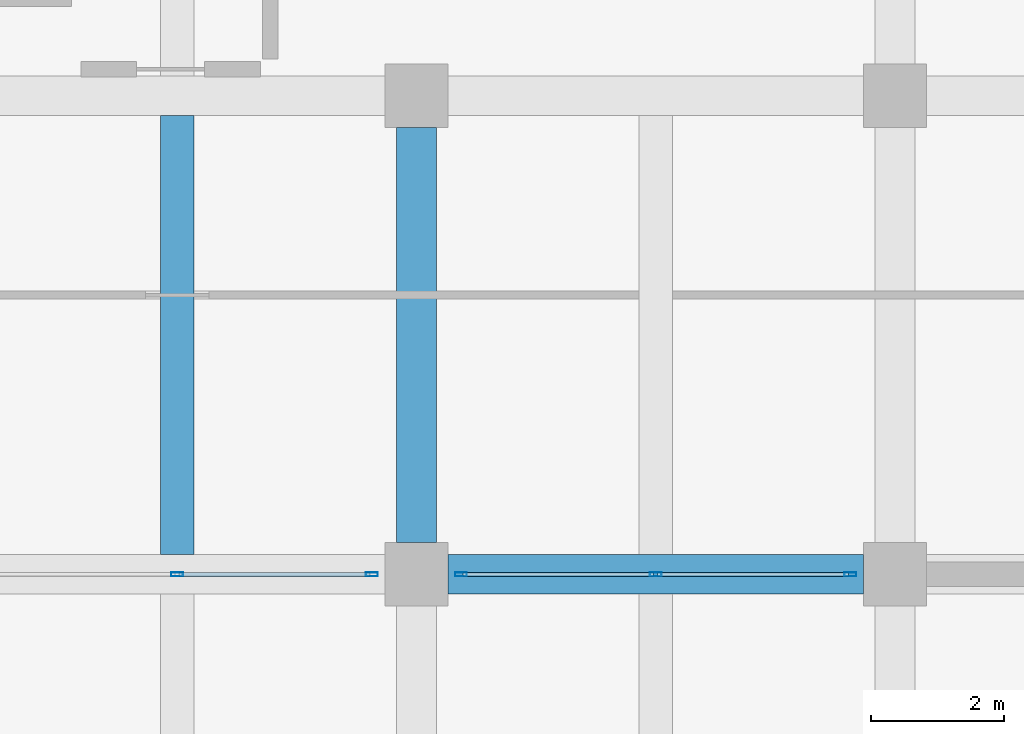
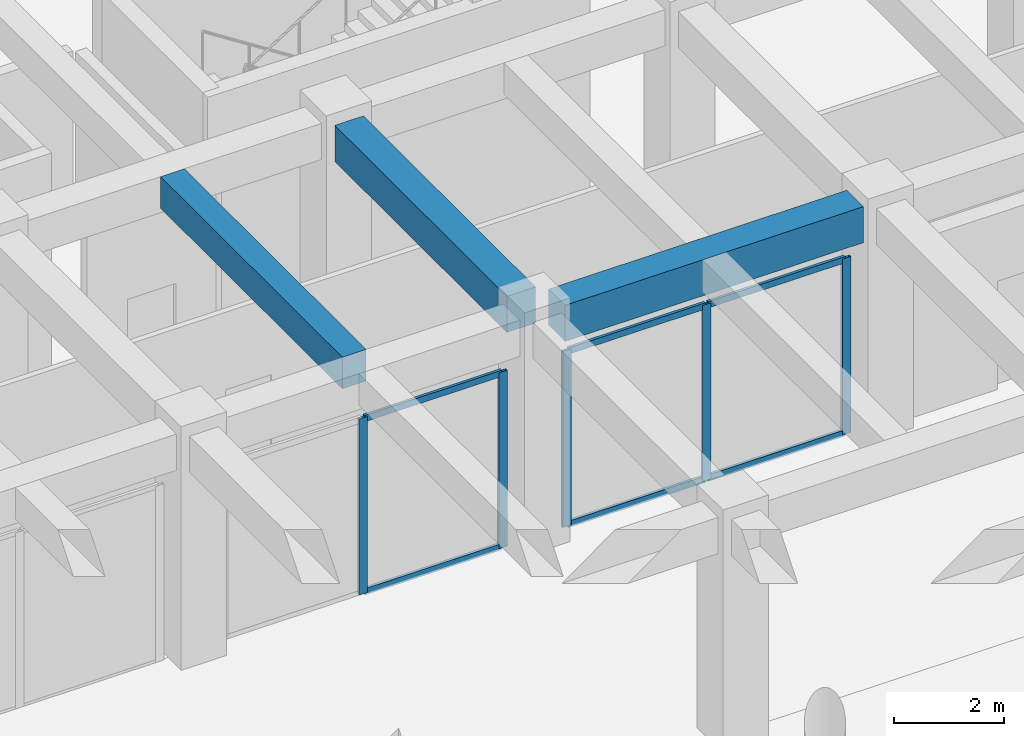
# One storey, part 14 of 56: 11 members, 3 beams, 2 elements without a shape of their own.
"""IFC4 building model written with IfcOpenShell, lengths in metres."""

from ifc_helpers import new_model, si_unit, direction, frame, origin, origin_2d, place, context, subcontext, project, spatial, rectangle, hollow_rectangle, extrude, material, material_profile, profile_set, type_object, element, aggregate, save


model = new_model("IFC4")

# Units and contexts
model_context = context("Model", 3, precision=1e-05, world=origin(), true_north=direction((0.0, 1.0)))
body_context = subcontext(model_context, "Body", "Model", "MODEL_VIEW")
ifc_project = project(units=[si_unit("LENGTHUNIT", "METRE"), si_unit("AREAUNIT", "SQUARE_METRE"), si_unit("VOLUMEUNIT", "CUBIC_METRE"), si_unit("PLANEANGLEUNIT", "RADIAN"), si_unit("MASSUNIT", "GRAM", prefix="KILO")], contexts=[model_context])

# Site, building, storey
site_placement = place(None, origin())
site = spatial("IfcSite", under=ifc_project, at=site_placement, CompositionType="ELEMENT")
building_placement = place(site_placement, origin())
building = spatial("IfcBuilding", under=site, at=building_placement, Name="Kazehaya Institute of Natural Sciences", CompositionType="ELEMENT")
storey_placement = place(building_placement, origin())
storey = spatial("IfcBuildingStorey", under=building, at=storey_placement, Name="L00", CompositionType="ELEMENT", Elevation=0.0)

# Beams
ifc_material_1 = material(Name="Concrete Fc36", Category="concrete")
ifc_material_profile_1 = material_profile(ifc_material_1, rectangle(XDim=0.60009765625, YDim=0.800048828125, at=origin_2d()), Name="RC-600x800")
ifc_profile_set_1 = profile_set([ifc_material_profile_1], Name="Concrete Fc36")
beam_type_1 = type_object("IfcBeamType", Name="BM-G-600x800", PredefinedType="BEAM", material=ifc_profile_set_1)
for number, where, z_axis, x_axis, name in (
    (1, (105.47509765625, 14.0, 4.72998046875), (1.0, 0.0, 0.0), (0.0, 1.0, 0.0), "L00 primary X girder BMX-L00-1050-140"),
    (2, (105.0, 14.47509765625, 4.72998046875), (0.0, 1.0, 0.0), (-1.0, 0.0, 0.0), "L00 primary Y girder BMY-L00-1050-140"),
):
    element("IfcBeam", number, at=place(storey_placement, frame(where, z_axis=z_axis, x_axis=x_axis)), inside=storey, type_object=beam_type_1, Name=name, PredefinedType="BEAM", context=body_context, shape_type="SweptSolid", body=[
        extrude(rectangle(XDim=0.60009765625, YDim=0.800048828125, at=origin_2d()), origin(), (0.0, 0.0, 1.0), 6.25),
    ])
ifc_material_profile_2 = material_profile(ifc_material_1, rectangle(XDim=0.5, YDim=0.699951171875, at=origin_2d()), Name="RC-500x700")
ifc_profile_set_2 = profile_set([ifc_material_profile_2], Name="Concrete Fc36")
beam_type_2 = type_object("IfcBeamType", Name="BM-J-500x700", PredefinedType="JOIST", material=ifc_profile_set_2)
beam_placement = place(storey_placement, frame((101.39990234375, 14.300048828125, 4.780029296875), z_axis=(0.0, 1.0, 0.0), x_axis=(-1.0, 0.0, 0.0)))
element("IfcBeam", 3, at=beam_placement, inside=storey, type_object=beam_type_2, Name="L00 secondary lab beam JST-L00-0017", PredefinedType="JOIST", context=body_context, shape_type="SweptSolid", body=[
    extrude(rectangle(XDim=0.5, YDim=0.699951171875, at=origin_2d()), origin(), (0.0, 0.0, 1.0), 6.599853515625),
])

# Curtain wall, members
ifc_material_2 = material(Name="Aluminium alloy A6063S-T5", Category="aluminium")
curtain_wall_type = type_object("IfcCurtainWallType", Name="CW-SYS-01", PredefinedType="NOTDEFINED", material=ifc_material_2)
curtain_wall_1_placement = place(storey_placement, origin())
curtain_wall_1 = element("IfcCurtainWall", 4, at=curtain_wall_1_placement, inside=storey, type_object=curtain_wall_type, Name="L00 unitised curtain wall CW-L00-001", PredefinedType="NOTDEFINED")
ifc_material_profile_3 = material_profile(ifc_material_2, hollow_rectangle(XDim=0.06005859375, YDim=0.179931640625, WallThickness=0.00390625, at=origin_2d()), Name="ALU-60x180x4")
ifc_profile_set_3 = profile_set([ifc_material_profile_3], Name="Aluminium alloy A6063S-T5")
member_type_1 = type_object("IfcMemberType", Name="CWM-180", PredefinedType="MULLION", material=ifc_profile_set_3)
member_1_placement = place(storey_placement, frame((111.530029296875, 14.0, 0.0), z_axis=(0.0, 0.0, 1.0), x_axis=(0.0, -1.0, 0.0)))
member_1 = element("IfcMember", 5, at=member_1_placement, type_object=member_type_1, Name="CW01 mullion 1", PredefinedType="MULLION", context=body_context, shape_type="SweptSolid", body=[
    extrude(hollow_rectangle(XDim=0.06005859375, YDim=0.179931640625, WallThickness=0.00390625, at=origin_2d()), origin(), (0.0, 0.0, 1.0), 3.89990234375),
])
member_2_placement = place(storey_placement, frame((108.60009765625, 14.0, 0.0), z_axis=(0.0, 0.0, 1.0), x_axis=(0.0, -1.0, 0.0)))
member_2 = element("IfcMember", 6, at=member_2_placement, type_object=member_type_1, Name="CW01 mullion 2", PredefinedType="MULLION", context=body_context, shape_type="SweptSolid", body=[
    extrude(hollow_rectangle(XDim=0.06005859375, YDim=0.179931640625, WallThickness=0.00390625, at=origin_2d()), origin(), (0.0, 0.0, 1.0), 3.89990234375),
])
member_3_placement = place(storey_placement, frame((105.669921875, 14.0, 0.0), z_axis=(0.0, 0.0, 1.0), x_axis=(0.0, -1.0, 0.0)))
member_3 = element("IfcMember", 7, at=member_3_placement, type_object=member_type_1, Name="CW01 mullion 3", PredefinedType="MULLION", context=body_context, shape_type="SweptSolid", body=[
    extrude(hollow_rectangle(XDim=0.06005859375, YDim=0.179931640625, WallThickness=0.00390625, at=origin_2d()), origin(), (0.0, 0.0, 1.0), 3.89990234375),
])

curtain_wall_2_placement = place(storey_placement, origin())
curtain_wall_2 = element("IfcCurtainWall", 8, at=curtain_wall_2_placement, inside=storey, type_object=curtain_wall_type, Name="L00 unitised curtain wall CW-L00-002", PredefinedType="NOTDEFINED")
member_4_placement = place(storey_placement, frame((104.330078125, 14.0, 0.0), z_axis=(0.0, 0.0, 1.0), x_axis=(0.0, -1.0, 0.0)))
member_4 = element("IfcMember", 9, at=member_4_placement, type_object=member_type_1, Name="CW01 mullion 1", PredefinedType="MULLION", context=body_context, shape_type="SweptSolid", body=[
    extrude(hollow_rectangle(XDim=0.06005859375, YDim=0.179931640625, WallThickness=0.00390625, at=origin_2d()), origin(), (0.0, 0.0, 1.0), 3.89990234375),
])
member_5_placement = place(storey_placement, frame((101.39990234375, 14.0, 0.0), z_axis=(0.0, 0.0, 1.0), x_axis=(0.0, -1.0, 0.0)))
member_5 = element("IfcMember", 10, at=member_5_placement, type_object=member_type_1, Name="CW01 mullion 2", PredefinedType="MULLION", context=body_context, shape_type="SweptSolid", body=[
    extrude(hollow_rectangle(XDim=0.06005859375, YDim=0.179931640625, WallThickness=0.00390625, at=origin_2d()), origin(), (0.0, 0.0, 1.0), 3.89990234375),
])

# Member
ifc_material_profile_4 = material_profile(ifc_material_2, hollow_rectangle(XDim=0.06005859375, YDim=0.139892578125, WallThickness=0.00341796875, at=origin_2d()), Name="ALU-60x140x3.5")
ifc_profile_set_4 = profile_set([ifc_material_profile_4], Name="Aluminium alloy A6063S-T5")
member_type_2 = type_object("IfcMemberType", Name="CWT-140", PredefinedType="USERDEFINED", material=ifc_profile_set_4)
member_6_placement = place(storey_placement, frame((111.5, 14.0, 0.030029296875), z_axis=(-1.0, 0.0, 0.0), x_axis=(0.0, -1.0, 0.0)))
member_6 = element("IfcMember", 11, at=member_6_placement, type_object=member_type_2, Name="CW01 transom 1.1", ObjectType="TRANSOM", PredefinedType="USERDEFINED", context=body_context, shape_type="SweptSolid", body=[
    extrude(hollow_rectangle(XDim=0.06005859375, YDim=0.139892578125, WallThickness=0.00341796875, at=origin_2d()), origin(), (0.0, 0.0, 1.0), 2.8701171875),
])

member_7_placement = place(storey_placement, frame((111.5, 14.0, 3.8701171875), z_axis=(-1.0, 0.0, 0.0), x_axis=(0.0, -1.0, 0.0)))
member_7 = element("IfcMember", 12, at=member_7_placement, type_object=member_type_2, Name="CW01 transom 1.2", ObjectType="TRANSOM", PredefinedType="USERDEFINED", context=body_context, shape_type="SweptSolid", body=[
    extrude(hollow_rectangle(XDim=0.06005859375, YDim=0.139892578125, WallThickness=0.00341796875, at=origin_2d()), origin(), (0.0, 0.0, 1.0), 2.8701171875),
])

member_8_placement = place(storey_placement, frame((108.570068359375, 14.0, 0.030029296875), z_axis=(-1.0, 0.0, 0.0), x_axis=(0.0, -1.0, 0.0)))
member_8 = element("IfcMember", 13, at=member_8_placement, type_object=member_type_2, Name="CW01 transom 2.1", ObjectType="TRANSOM", PredefinedType="USERDEFINED", context=body_context, shape_type="SweptSolid", body=[
    extrude(hollow_rectangle(XDim=0.06005859375, YDim=0.139892578125, WallThickness=0.00341796875, at=origin_2d()), origin(), (0.0, 0.0, 1.0), 2.8701171875),
])

member_9_placement = place(storey_placement, frame((108.570068359375, 14.0, 3.8701171875), z_axis=(-1.0, 0.0, 0.0), x_axis=(0.0, -1.0, 0.0)))
member_9 = element("IfcMember", 14, at=member_9_placement, type_object=member_type_2, Name="CW01 transom 2.2", ObjectType="TRANSOM", PredefinedType="USERDEFINED", context=body_context, shape_type="SweptSolid", body=[
    extrude(hollow_rectangle(XDim=0.06005859375, YDim=0.139892578125, WallThickness=0.00341796875, at=origin_2d()), origin(), (0.0, 0.0, 1.0), 2.8701171875),
])

aggregate(curtain_wall_1, [member_1, member_2, member_3, member_6, member_7, member_8, member_9])

member_10_placement = place(storey_placement, frame((104.300048828125, 14.0, 0.030029296875), z_axis=(-1.0, 0.0, 0.0), x_axis=(0.0, -1.0, 0.0)))
member_10 = element("IfcMember", 15, at=member_10_placement, type_object=member_type_2, Name="CW01 transom 1.1", ObjectType="TRANSOM", PredefinedType="USERDEFINED", context=body_context, shape_type="SweptSolid", body=[
    extrude(hollow_rectangle(XDim=0.06005859375, YDim=0.139892578125, WallThickness=0.00341796875, at=origin_2d()), origin(), (0.0, 0.0, 1.0), 2.8701171875),
])

member_11_placement = place(storey_placement, frame((104.300048828125, 14.0, 3.8701171875), z_axis=(-1.0, 0.0, 0.0), x_axis=(0.0, -1.0, 0.0)))
member_11 = element("IfcMember", 16, at=member_11_placement, type_object=member_type_2, Name="CW01 transom 1.2", ObjectType="TRANSOM", PredefinedType="USERDEFINED", context=body_context, shape_type="SweptSolid", body=[
    extrude(hollow_rectangle(XDim=0.06005859375, YDim=0.139892578125, WallThickness=0.00341796875, at=origin_2d()), origin(), (0.0, 0.0, 1.0), 2.8701171875),
])

aggregate(curtain_wall_2, [member_4, member_5, member_10, member_11])

save(model, "model.ifc")
